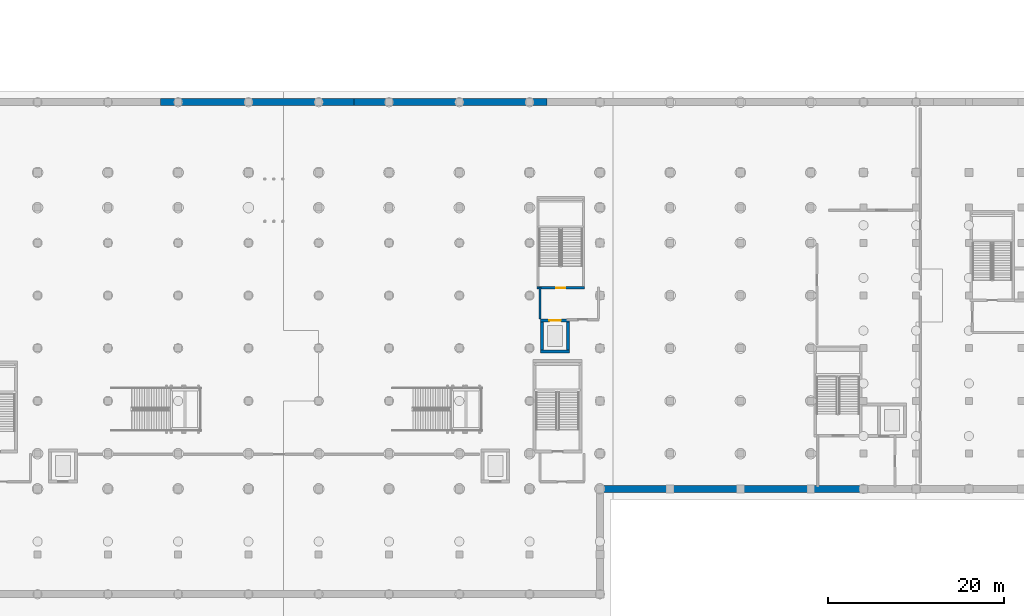
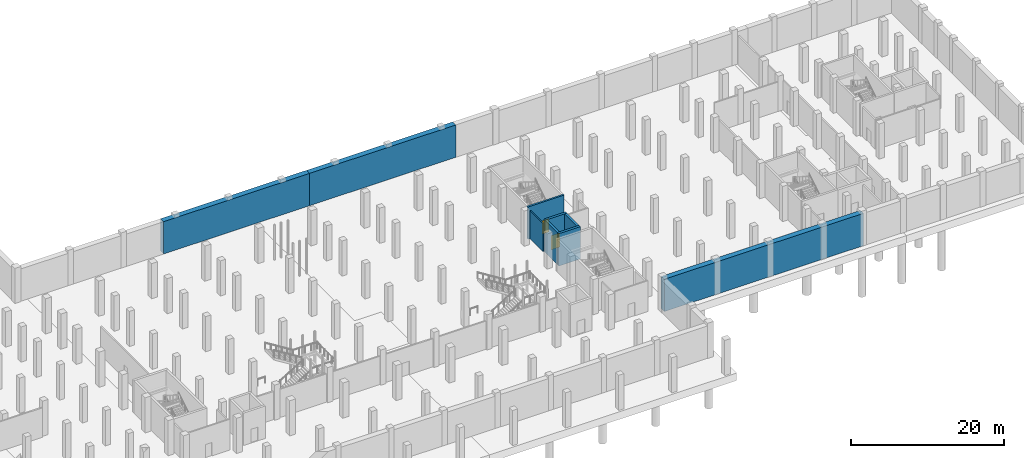
# One storey, part 14 of 26: 9 walls, 2 doors, 2 openings.
"""IFC4 building model written with IfcOpenShell, lengths in metres."""

from ifc_helpers import new_model, si_unit, direction, frame, frame_2d, origin, place, context, subcontext, project, spatial, rectangle, extrude, material, layer, layer_set, type_object, element, fill, save


model = new_model("IFC4")

# Units and contexts
model_context = context("Model", 3, precision=1e-05, world=origin(), true_north=direction((0.0, 1.0)))
body_context = subcontext(model_context, "Body", "Model", "MODEL_VIEW")
ifc_project = project(units=[si_unit("LENGTHUNIT", "METRE"), si_unit("AREAUNIT", "SQUARE_METRE"), si_unit("VOLUMEUNIT", "CUBIC_METRE"), si_unit("PLANEANGLEUNIT", "RADIAN"), si_unit("MASSUNIT", "GRAM", prefix="KILO")], contexts=[model_context])

# Site, building, storey
site_placement = place(None, origin())
site = spatial("IfcSite", under=ifc_project, at=site_placement, CompositionType="ELEMENT")
building_placement = place(site_placement, origin())
building = spatial("IfcBuilding", under=site, at=building_placement, Name="Verrall Gate Interchange", CompositionType="ELEMENT")
storey_placement = place(building_placement, frame((0.0, 0.0, -10.39990234375)))
storey = spatial("IfcBuildingStorey", under=building, at=storey_placement, Name="B2", CompositionType="ELEMENT", Elevation=-10.39990234375)

# Walls
ifc_material_1 = material(Name="Fire-Rated Type X Gypsum Stud Partition Assembly (60 min)", Category="gypsum")
ifc_layer_1 = layer(ifc_material_1, 0.199951171875)
ifc_layer_set_1 = layer_set([ifc_layer_1], Name="Fire-Rated Type X Gypsum Stud Partition Assembly (60 min)")
wall_type_1 = type_object("IfcWallType", Name="IW-01 Interior Partition Wall 200", PredefinedType="PARTITIONING", material=ifc_layer_set_1)
wall_1_placement = place(storey_placement, frame((101.199951171875, 34.949951171875, 0.0), z_axis=(0.0, 0.0, 1.0), x_axis=(0.0, -1.0, 0.0)))
element("IfcWall", 1, at=wall_1_placement, inside=storey, type_object=wall_type_1, Name="B2 Core C7 Lobby West Rated Wall", PredefinedType="PARTITIONING", context=body_context, shape_type="SweptSolid", body=[
    extrude(rectangle(XDim=3.619873046875, YDim=0.199951171875, at=frame_2d((1.81005859375, 0.0))), origin(), (0.0, 0.0, 1.0), 4.47998046875),
])
ifc_material_2 = material(Name="Concrete CSA A23.1 35 MPa (Class S-2)", Category="concrete")
ifc_layer_2 = layer(ifc_material_2, 0.800048828125)
ifc_layer_set_2 = layer_set([ifc_layer_2], Name="Concrete CSA A23.1 35 MPa (Class S-2)")
wall_type_2 = type_object("IfcWallType", Name="RW-01 Diaphragm Retaining Wall 800", PredefinedType="USERDEFINED", material=ifc_layer_set_2)
wall_2_placement = place(storey_placement, frame((108.0, 12.0, 0.0), z_axis=(0.0, 0.0, 1.0), x_axis=(1.0, 0.0, 0.0)))
element("IfcWall", 2, at=wall_2_placement, inside=storey, type_object=wall_type_2, Name="B2 Diaphragm Retaining Wall 007", ObjectType="RETAININGWALL", PredefinedType="USERDEFINED", context=body_context, shape_type="SweptSolid", body=[
    extrude(rectangle(XDim=30.0, YDim=0.800048828125, at=frame_2d((15.0, 0.0))), origin(), (0.0, 0.0, 1.0), 5.14990234375),
])
for number, where, z_axis, x_axis, name in (
    (3, (102.0, 56.0, 0.0), (0.0, 0.0, 1.0), (-1.0, 0.0, 0.0), "B2 Diaphragm Retaining Wall 014"),
    (4, (80.0, 56.0, 0.0), (0.0, 0.0, 1.0), (-1.0, 0.0, 0.0), "B2 Diaphragm Retaining Wall 015"),
):
    element("IfcWall", number, at=place(storey_placement, frame(where, z_axis=z_axis, x_axis=x_axis)), inside=storey, type_object=wall_type_2, Name=name, ObjectType="RETAININGWALL", PredefinedType="USERDEFINED", context=body_context, shape_type="SweptSolid", body=[
        extrude(rectangle(XDim=22.0, YDim=0.800048828125, at=frame_2d((11.0, 0.0))), origin(), (0.0, 0.0, 1.0), 5.14990234375),
    ])
ifc_material_3 = material(Name="Concrete CSA A23.1 40 MPa (Class N)", Category="concrete")
ifc_layer_3 = layer(ifc_material_3, 0.340087890625)
ifc_layer_set_3 = layer_set([ifc_layer_3], Name="Concrete CSA A23.1 40 MPa (Class N)")
wall_type_3 = type_object("IfcWallType", Name="SW-02 Core Shear Wall 340", PredefinedType="SHEAR", material=ifc_layer_set_3)
wall_3_placement = place(storey_placement, frame((101.260009765625, 27.6298828125, 0.0), z_axis=(0.0, 0.0, 1.0), x_axis=(1.0, 0.0, 0.0)))
element("IfcWall", 5, at=wall_3_placement, inside=storey, type_object=wall_type_3, Name="B2 Elevator EL-05 South Shaft Wall", PredefinedType="SHEAR", context=body_context, shape_type="SweptSolid", body=[
    extrude(rectangle(XDim=3.280029296875, YDim=0.340087890625, at=frame_2d((1.64013671875, 0.0))), origin(), (0.0, 0.0, 1.0), 5.14990234375),
])

# Wall, opening, door
wall_4_placement = place(storey_placement, frame((104.5400390625, 31.169921875, 0.0), z_axis=(0.0, 0.0, 1.0), x_axis=(-1.0, 0.0, 0.0)))
wall_4 = element("IfcWall", 6, at=wall_4_placement, inside=storey, type_object=wall_type_3, Name="B2 Elevator EL-05 North Shaft Wall", PredefinedType="SHEAR", context=body_context, shape_type="SweptSolid", body=[
    extrude(rectangle(XDim=3.280029296875, YDim=0.340087890625, at=frame_2d((1.64013671875, 0.0))), origin(), (0.0, 0.0, 1.0), 5.14990234375),
])
opening_1_placement = place(wall_4_placement, frame((0.989990234375, 0.0, 0.0)))
opening_1 = element("IfcOpeningElement", 7, at=opening_1_placement, cuts=wall_4, Name="Opening LD-05-B2", PredefinedType="OPENING", context=body_context, shape_type="SweptSolid", body=[
    extrude(rectangle(XDim=1.300048828125, YDim=2.25, at=frame_2d((0.64990234375, 1.125))), frame((0.0, 0.18505859375, 0.0), z_axis=(0.0, -1.0, 0.0), x_axis=(1.0, 0.0, 0.0)), (0.0, 0.0, 1.0), 0.369873046875),
])
ifc_material_4 = material(Name="Stainless-Steel Elevator Landing Sliding Door Assembly", Category="steel")
door_type_1 = type_object("IfcDoorType", Name="LD-03 Elevator Sliding Landing Door 1300x2250", OperationType="NOTDEFINED", PredefinedType="DOOR", material=ifc_material_4)
door_1_placement = place(opening_1_placement, origin())
door_1 = element("IfcDoor", 8, at=door_1_placement, inside=storey, type_object=door_type_1, Name="B2 Elevator EL-05 Sliding Landing Door", OperationType="DOUBLE_DOOR_SLIDING", OverallHeight=2.25, OverallWidth=1.300048828125, PredefinedType="DOOR", context=body_context, shape_type="SweptSolid", body=[
    extrude(rectangle(XDim=1.300048828125, YDim=2.25, at=frame_2d((0.64990234375, 1.125))), frame((0.0, 0.02490234375, 0.0), z_axis=(0.0, -1.0, 0.0), x_axis=(1.0, 0.0, 0.0)), (0.0, 0.0, 1.0), 0.050048828125),
])
fill(opening_1, door_1)

# Walls
for number, where, z_axis, x_axis, name in (
    (9, (101.429931640625, 31.0, 0.0), (0.0, 0.0, 1.0), (0.0, -1.0, 0.0), "B2 Elevator EL-05 West Shaft Wall"),
    (10, (104.3701171875, 27.800048828125, 0.0), (0.0, 0.0, 1.0), (0.0, 1.0, 0.0), "B2 Elevator EL-05 East Shaft Wall"),
):
    element("IfcWall", number, at=place(storey_placement, frame(where, z_axis=z_axis, x_axis=x_axis)), inside=storey, type_object=wall_type_3, Name=name, PredefinedType="SHEAR", context=body_context, shape_type="SweptSolid", body=[
        extrude(rectangle(XDim=3.199951171875, YDim=0.340087890625, at=frame_2d((1.60009765625, 0.0))), origin(), (0.0, 0.0, 1.0), 5.14990234375),
    ])

# Wall, opening, door
ifc_material_5 = material(Name="Concrete CSA A23.1 40 MPa (Class N)", Category="concrete")
ifc_layer_4 = layer(ifc_material_5, 0.280029296875)
ifc_layer_set_4 = layer_set([ifc_layer_4], Name="Concrete CSA A23.1 40 MPa (Class N)")
wall_type_4 = type_object("IfcWallType", Name="SW-03 Core Shear Wall 280", PredefinedType="SHEAR", material=ifc_layer_set_4)
wall_5_placement = place(storey_placement, frame((100.820068359375, 34.860107421875, 0.0), z_axis=(0.0, 0.0, 1.0), x_axis=(1.0, 0.0, 0.0)))
wall_5 = element("IfcWall", 11, at=wall_5_placement, inside=storey, type_object=wall_type_4, Name="B2 Core C7 South Shear Wall", PredefinedType="SHEAR", context=body_context, shape_type="SweptSolid", body=[
    extrude(rectangle(XDim=5.4599609375, YDim=0.280029296875, at=frame_2d((2.72998046875, 0.0))), origin(), (0.0, 0.0, 1.0), 5.14990234375),
])
opening_2_placement = place(wall_5_placement, frame((2.205078125, 0.0, 0.0)))
opening_2 = element("IfcOpeningElement", 12, at=opening_2_placement, cuts=wall_5, Name="Opening SD079", PredefinedType="OPENING", context=body_context, shape_type="SweptSolid", body=[
    extrude(rectangle(XDim=1.050048828125, YDim=2.14990234375, at=frame_2d((0.52490234375, 1.074951171875))), frame((0.0, 0.15478515625, 0.0), z_axis=(0.0, -1.0, 0.0), x_axis=(1.0, 0.0, 0.0)), (0.0, 0.0, 1.0), 0.309814453125),
])
ifc_material_6 = material(Name="Hollow-Metal Fire-Rated Door Assembly", Category="metal")
door_type_2 = type_object("IfcDoorType", Name="ID-01 Interior Swing Door 1050x2150", OperationType="NOTDEFINED", PredefinedType="DOOR", material=ifc_material_6)
door_2_placement = place(opening_2_placement, origin())
door_2 = element("IfcDoor", 13, at=door_2_placement, inside=storey, type_object=door_type_2, Name="B2 Stair ST-07 Fire Door SD079", OperationType="SINGLE_SWING_LEFT", OverallHeight=2.14990234375, OverallWidth=1.050048828125, PredefinedType="DOOR", context=body_context, shape_type="SweptSolid", body=[
    extrude(rectangle(XDim=1.050048828125, YDim=2.14990234375, at=frame_2d((0.52490234375, 1.074951171875))), frame((0.0, 0.02490234375, 0.0), z_axis=(0.0, -1.0, 0.0), x_axis=(1.0, 0.0, 0.0)), (0.0, 0.0, 1.0), 0.050048828125),
])
fill(opening_2, door_2)

save(model, "model.ifc")
